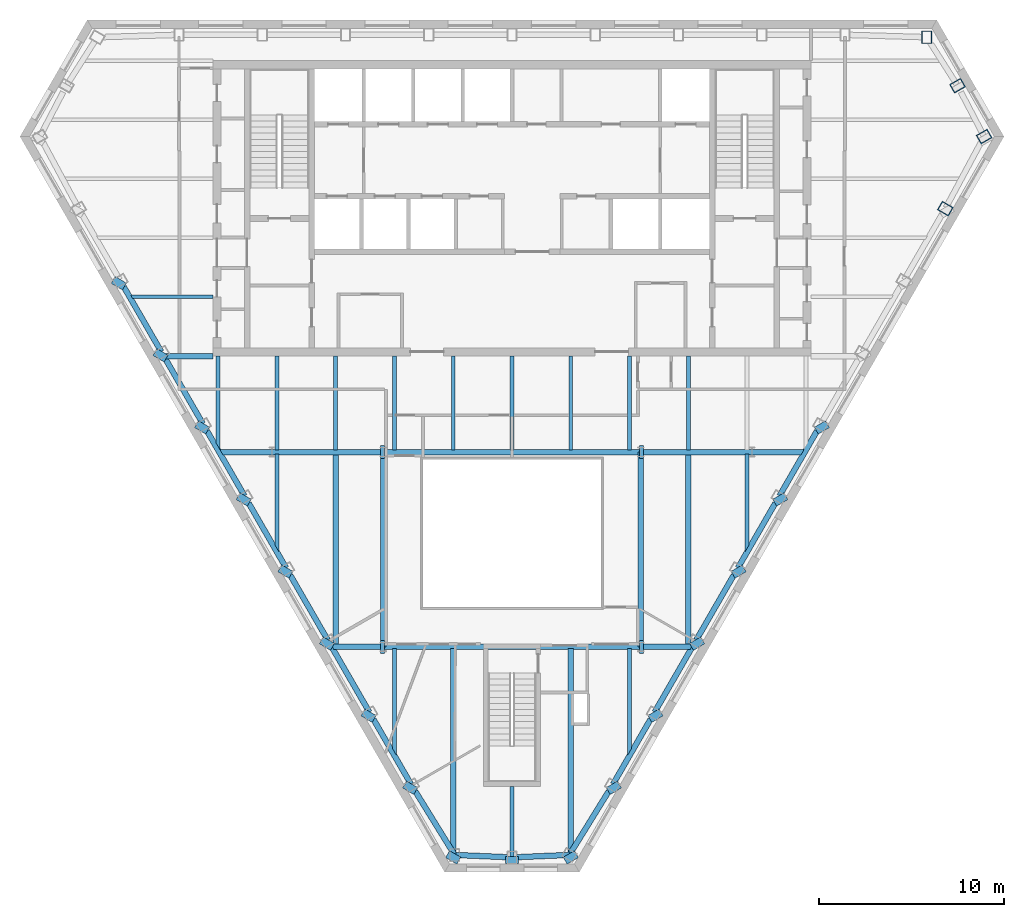
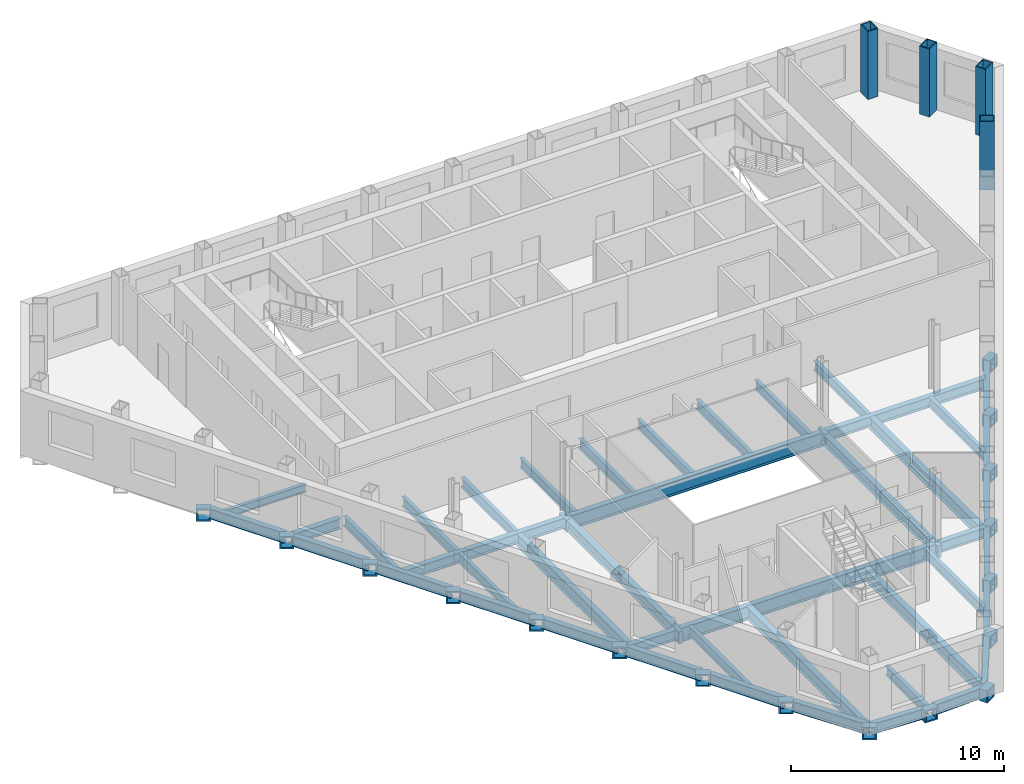
# One storey, part 2 of 11: 67 beams, 4 columns.
"""IFC4 building model written with IfcOpenShell, lengths in metres."""

from ifc_helpers import new_model, si_unit, direction, frame, origin, origin_2d, place, context, subcontext, project, spatial, hollow_rectangle, i_section, extrude, clip, halfspace, material, material_profile, profile_set, type_object, element, save


model = new_model("IFC4")

# Units and contexts
model_context = context("Model", 3, precision=1e-05, world=origin(), true_north=direction((0.0, 1.0)))
body_context = subcontext(model_context, "Body", "Model", "MODEL_VIEW")
ifc_project = project(units=[si_unit("LENGTHUNIT", "METRE"), si_unit("AREAUNIT", "SQUARE_METRE"), si_unit("VOLUMEUNIT", "CUBIC_METRE"), si_unit("PLANEANGLEUNIT", "RADIAN"), si_unit("MASSUNIT", "GRAM", prefix="KILO")], contexts=[model_context])

# Site, building, storey
site_placement = place(None, origin())
site = spatial("IfcSite", under=ifc_project, at=site_placement, CompositionType="ELEMENT")
building_placement = place(site_placement, origin())
building = spatial("IfcBuilding", under=site, at=building_placement, Name="Njiva Tower", CompositionType="ELEMENT")
storey_placement = place(building_placement, frame((0.0, 0.0, 204.3)))
storey = spatial("IfcBuildingStorey", under=building, at=storey_placement, Name="L45", CompositionType="ELEMENT", Elevation=204.3)

# Columns
ifc_material = material(Name="Steel S355 J2", Category="steel")
ifc_material_profile_1 = material_profile(ifc_material, hollow_rectangle(XDim=0.55, YDim=0.7, WallThickness=0.05, at=origin_2d()), Name="BOX 700x550x50")
ifc_profile_set_1 = profile_set([ifc_material_profile_1], Name="Steel S355 J2")
column_type = type_object("IfcColumnType", Name="C11 Perimeter tube column BOX 700x550x50", PredefinedType="COLUMN", material=ifc_profile_set_1)
for number, where, z_axis, x_axis, name in (
    (1, (22.461, 19.267, 0.0), (0.0, 0.0, 1.0), (-1.0, 0.0, 0.0), "Perimeter tube column S15-C01"),
    (2, (23.467, 9.983, 0.0), (0.0, 0.0, 1.0), (0.5, 0.866025403784, 0.0), "Perimeter tube column S15-C34"),
    (3, (25.568, 13.887, 0.0), (0.0, 0.0, 1.0), (-0.5, 0.866025403784, 0.0), "Perimeter tube column S15-C35"),
    (4, (24.13, 16.643, 0.0), (0.0, 0.0, 1.0), (-0.5, 0.866025403784, 0.0), "Perimeter tube column S15-C36"),
):
    element("IfcColumn", number, at=place(storey_placement, frame(where, z_axis=z_axis, x_axis=x_axis)), inside=storey, type_object=column_type, Name=name, PredefinedType="COLUMN", context=body_context, shape_type="SweptSolid", body=[
        extrude(hollow_rectangle(XDim=0.55, YDim=0.7, WallThickness=0.05, at=origin_2d()), origin(), (0.0, 0.0, 1.0), 3.9),
    ])

# Beams
ifc_material_profile_2 = material_profile(ifc_material, i_section(OverallWidth=0.3, OverallDepth=0.69, WebThickness=0.0145, FlangeThickness=0.027, at=origin_2d()), Name="HEA 700")
ifc_profile_set_2 = profile_set([ifc_material_profile_2], Name="Steel S355 J2")
beam_type_1 = type_object("IfcBeamType", Name="B12 Long-span floor joist HEA 700", PredefinedType="JOIST", material=ifc_profile_set_2)
beam_1_placement = place(storey_placement, frame((-9.55, -3.3, -0.545), z_axis=(0.0, -1.0, 0.0), x_axis=(1.0, 0.0, 0.0)))
element("IfcBeam", 5, at=beam_1_placement, inside=storey, type_object=beam_type_1, Name="Long-span floor joist S15-B055", PredefinedType="JOIST", context=body_context, shape_type="SweptSolid", body=[
    extrude(i_section(OverallWidth=0.3, OverallDepth=0.69, WebThickness=0.0145, FlangeThickness=0.027, at=origin_2d()), origin(), (0.0, 0.0, 1.0), 10.35),
])
beam_2_placement = place(storey_placement, frame((-3.183, -13.85, -0.545), z_axis=(0.0, -1.0, 0.0), x_axis=(1.0, 0.0, 0.0)))
element("IfcBeam", 6, at=beam_2_placement, inside=storey, type_object=beam_type_1, Name="Long-span floor joist S15-B060", PredefinedType="JOIST", context=body_context, shape_type="Clipping", body=[
    clip(extrude(i_section(OverallWidth=0.3, OverallDepth=0.69, WebThickness=0.0145, FlangeThickness=0.027, at=origin_2d()), origin(), (0.0, 0.0, 1.0), 11.043), halfspace(frame((-0.0429, 0.0, 10.7837), z_axis=(-0.850620428373, 0.0, 0.525780264783), x_axis=(0.0, 1.0, 0.0)), False)),
])
beam_3_placement = place(storey_placement, frame((3.183, -13.85, -0.545), z_axis=(0.0, -1.0, 0.0), x_axis=(1.0, 0.0, 0.0)))
element("IfcBeam", 7, at=beam_3_placement, inside=storey, type_object=beam_type_1, Name="Long-span floor joist S15-B067", PredefinedType="JOIST", context=body_context, shape_type="Clipping", body=[
    clip(extrude(i_section(OverallWidth=0.3, OverallDepth=0.69, WebThickness=0.0145, FlangeThickness=0.027, at=origin_2d()), origin(), (0.0, 0.0, 1.0), 11.043), halfspace(frame((0.0429, 0.0, 10.7837), z_axis=(0.850620428373, 0.0, 0.525780264783), x_axis=(0.0, 1.0, 0.0)), False)),
])
beam_4_placement = place(storey_placement, frame((9.55, -3.3, -0.545), z_axis=(0.0, -1.0, 0.0), x_axis=(1.0, 0.0, 0.0)))
element("IfcBeam", 8, at=beam_4_placement, inside=storey, type_object=beam_type_1, Name="Long-span floor joist S15-B071", PredefinedType="JOIST", context=body_context, shape_type="SweptSolid", body=[
    extrude(i_section(OverallWidth=0.3, OverallDepth=0.69, WebThickness=0.0145, FlangeThickness=0.027, at=origin_2d()), origin(), (0.0, 0.0, 1.0), 10.35),
])
ifc_material_profile_3 = material_profile(ifc_material, hollow_rectangle(XDim=0.7, YDim=0.7, WallThickness=0.08, at=origin_2d()), Name="BOX 700x700x80")
ifc_profile_set_3 = profile_set([ifc_material_profile_3], Name="Steel S355 J2")
beam_type_2 = type_object("IfcBeamType", Name="B19 Column jog beam BOX 700x700x80", PredefinedType="BEAM", material=ifc_profile_set_3)
beam_5_placement = place(storey_placement, frame((-21.399, 5.759, -0.55), z_axis=(0.500393920955, 0.865797853931, 0.0), x_axis=(-0.865797853931, 0.500393920955, 0.0)))
element("IfcBeam", 9, at=beam_5_placement, inside=storey, type_object=beam_type_2, Name="Column jog beam S15-B026", PredefinedType="BEAM", context=body_context, shape_type="SweptSolid", body=[
    extrude(hollow_rectangle(XDim=0.7, YDim=0.7, WallThickness=0.08, at=origin_2d()), origin(), (0.0, 0.0, 1.0), 0.4297),
])
for number, where, z_axis, x_axis, name in (
    (10, (-19.145, 1.855, -0.55), (0.499387282788, 0.866378867349, 0.0), (-0.866378867349, 0.499387282788, 0.0), "Column jog beam S15-B027"),
    (11, (-16.891, -2.049, -0.55), (0.499387282788, 0.866378867349, 0.0), (-0.866378867349, 0.499387282788, 0.0), "Column jog beam S15-B028"),
):
    element("IfcBeam", number, at=place(storey_placement, frame(where, z_axis=z_axis, x_axis=x_axis)), inside=storey, type_object=beam_type_2, Name=name, PredefinedType="BEAM", context=body_context, shape_type="SweptSolid", body=[
        extrude(hollow_rectangle(XDim=0.7, YDim=0.7, WallThickness=0.08, at=origin_2d()), origin(), (0.0, 0.0, 1.0), 0.4305),
    ])
for number, where, z_axis, x_axis, name in (
    (12, (-14.637, -5.952, -0.55), (0.500393920955, 0.865797853931, 0.0), (-0.865797853931, 0.500393920955, 0.0), "Column jog beam S15-B029"),
    (13, (-12.383, -9.856, -0.55), (0.500393920955, 0.865797853931, 0.0), (-0.865797853931, 0.500393920955, 0.0), "Column jog beam S15-B030"),
):
    element("IfcBeam", number, at=place(storey_placement, frame(where, z_axis=z_axis, x_axis=x_axis)), inside=storey, type_object=beam_type_2, Name=name, PredefinedType="BEAM", context=body_context, shape_type="SweptSolid", body=[
        extrude(hollow_rectangle(XDim=0.7, YDim=0.7, WallThickness=0.08, at=origin_2d()), origin(), (0.0, 0.0, 1.0), 0.4297),
    ])
for number, where, z_axis, x_axis, name in (
    (14, (-10.13, -13.76, -0.55), (0.499387282788, 0.866378867349, 0.0), (-0.866378867349, 0.499387282788, 0.0), "Column jog beam S15-B031"),
    (15, (-7.876, -17.664, -0.55), (0.499387282788, 0.866378867349, 0.0), (-0.866378867349, 0.499387282788, 0.0), "Column jog beam S15-B032"),
):
    element("IfcBeam", number, at=place(storey_placement, frame(where, z_axis=z_axis, x_axis=x_axis)), inside=storey, type_object=beam_type_2, Name=name, PredefinedType="BEAM", context=body_context, shape_type="SweptSolid", body=[
        extrude(hollow_rectangle(XDim=0.7, YDim=0.7, WallThickness=0.08, at=origin_2d()), origin(), (0.0, 0.0, 1.0), 0.4305),
    ])
beam_6_placement = place(storey_placement, frame((-5.622, -21.567, -0.55), z_axis=(0.500393920955, 0.865797853931, 0.0), x_axis=(-0.865797853931, 0.500393920955, 0.0)))
element("IfcBeam", 16, at=beam_6_placement, inside=storey, type_object=beam_type_2, Name="Column jog beam S15-B035", PredefinedType="BEAM", context=body_context, shape_type="SweptSolid", body=[
    extrude(hollow_rectangle(XDim=0.7, YDim=0.7, WallThickness=0.08, at=origin_2d()), origin(), (0.0, 0.0, 1.0), 0.4297),
])
beam_7_placement = place(storey_placement, frame((-3.291, -25.338, -0.55), z_axis=(0.499387282788, 0.866378867349, 0.0), x_axis=(-0.866378867349, 0.499387282788, 0.0)))
element("IfcBeam", 17, at=beam_7_placement, inside=storey, type_object=beam_type_2, Name="Column jog beam S15-B036", PredefinedType="BEAM", context=body_context, shape_type="SweptSolid", body=[
    extrude(hollow_rectangle(XDim=0.7, YDim=0.7, WallThickness=0.08, at=origin_2d()), origin(), (0.0, 0.0, 1.0), 0.4305),
])
beam_8_placement = place(storey_placement, frame((0.0, -25.479, -0.55), z_axis=(0.0, 1.0, 0.0), x_axis=(-1.0, 0.0, 0.0)))
element("IfcBeam", 18, at=beam_8_placement, inside=storey, type_object=beam_type_2, Name="Column jog beam S15-B037", PredefinedType="BEAM", context=body_context, shape_type="SweptSolid", body=[
    extrude(hollow_rectangle(XDim=0.7, YDim=0.7, WallThickness=0.08, at=origin_2d()), origin(), (0.0, 0.0, 1.0), 0.389),
])
beam_9_placement = place(storey_placement, frame((3.291, -25.338, -0.55), z_axis=(-0.499387282788, 0.866378867349, 0.0), x_axis=(-0.866378867349, -0.499387282788, 0.0)))
element("IfcBeam", 19, at=beam_9_placement, inside=storey, type_object=beam_type_2, Name="Column jog beam S15-B038", PredefinedType="BEAM", context=body_context, shape_type="SweptSolid", body=[
    extrude(hollow_rectangle(XDim=0.7, YDim=0.7, WallThickness=0.08, at=origin_2d()), origin(), (0.0, 0.0, 1.0), 0.4305),
])
beam_10_placement = place(storey_placement, frame((5.622, -21.567, -0.55), z_axis=(-0.500393920955, 0.865797853931, 0.0), x_axis=(-0.865797853931, -0.500393920955, 0.0)))
element("IfcBeam", 20, at=beam_10_placement, inside=storey, type_object=beam_type_2, Name="Column jog beam S15-B039", PredefinedType="BEAM", context=body_context, shape_type="SweptSolid", body=[
    extrude(hollow_rectangle(XDim=0.7, YDim=0.7, WallThickness=0.08, at=origin_2d()), origin(), (0.0, 0.0, 1.0), 0.4297),
])
for number, where, z_axis, x_axis, name in (
    (21, (7.876, -17.664, -0.55), (-0.499387282788, 0.866378867349, 0.0), (-0.866378867349, -0.499387282788, 0.0), "Column jog beam S15-B042"),
    (22, (10.13, -13.76, -0.55), (-0.499387282788, 0.866378867349, 0.0), (-0.866378867349, -0.499387282788, 0.0), "Column jog beam S15-B043"),
):
    element("IfcBeam", number, at=place(storey_placement, frame(where, z_axis=z_axis, x_axis=x_axis)), inside=storey, type_object=beam_type_2, Name=name, PredefinedType="BEAM", context=body_context, shape_type="SweptSolid", body=[
        extrude(hollow_rectangle(XDim=0.7, YDim=0.7, WallThickness=0.08, at=origin_2d()), origin(), (0.0, 0.0, 1.0), 0.4305),
    ])
for number, where, z_axis, x_axis, name in (
    (23, (12.383, -9.856, -0.55), (-0.500393920955, 0.865797853931, 0.0), (-0.865797853931, -0.500393920955, 0.0), "Column jog beam S15-B044"),
    (24, (14.637, -5.952, -0.55), (-0.500393920955, 0.865797853931, 0.0), (-0.865797853931, -0.500393920955, 0.0), "Column jog beam S15-B045"),
):
    element("IfcBeam", number, at=place(storey_placement, frame(where, z_axis=z_axis, x_axis=x_axis)), inside=storey, type_object=beam_type_2, Name=name, PredefinedType="BEAM", context=body_context, shape_type="SweptSolid", body=[
        extrude(hollow_rectangle(XDim=0.7, YDim=0.7, WallThickness=0.08, at=origin_2d()), origin(), (0.0, 0.0, 1.0), 0.4297),
    ])
beam_11_placement = place(storey_placement, frame((16.891, -2.049, -0.55), z_axis=(-0.499387282788, 0.866378867349, 0.0), x_axis=(-0.866378867349, -0.499387282788, 0.0)))
element("IfcBeam", 25, at=beam_11_placement, inside=storey, type_object=beam_type_2, Name="Column jog beam S15-B046", PredefinedType="BEAM", context=body_context, shape_type="SweptSolid", body=[
    extrude(hollow_rectangle(XDim=0.7, YDim=0.7, WallThickness=0.08, at=origin_2d()), origin(), (0.0, 0.0, 1.0), 0.4305),
])
for number, where, z_axis, x_axis, name in (
    (26, (7.11, -3.2, -0.55), (-1.0, 0.0, 0.0), (0.0, -1.0, 0.0), "Column jog beam S15-B041"),
    (27, (-7.11, -3.2, -0.55), (1.0, 0.0, 0.0), (0.0, 1.0, 0.0), "Column jog beam S15-B034"),
    (28, (7.11, -13.75, -0.55), (-1.0, 0.0, 0.0), (0.0, -1.0, 0.0), "Column jog beam S15-B040"),
    (29, (-7.11, -13.75, -0.55), (1.0, 0.0, 0.0), (0.0, 1.0, 0.0), "Column jog beam S15-B033"),
):
    element("IfcBeam", number, at=place(storey_placement, frame(where, z_axis=z_axis, x_axis=x_axis)), inside=storey, type_object=beam_type_2, Name=name, PredefinedType="BEAM", context=body_context, shape_type="SweptSolid", body=[
        extrude(hollow_rectangle(XDim=0.7, YDim=0.7, WallThickness=0.08, at=origin_2d()), origin(), (0.0, 0.0, 1.0), 0.2),
    ])
ifc_material_profile_4 = material_profile(ifc_material, i_section(OverallWidth=0.3, OverallDepth=0.59, WebThickness=0.013, FlangeThickness=0.025, at=origin_2d()), Name="HEA 600")
ifc_profile_set_4 = profile_set([ifc_material_profile_4], Name="Steel S355 J2")
beam_type_3 = type_object("IfcBeamType", Name="B27 Short-span spandrel beam HEA 600", PredefinedType="SPANDREL", material=ifc_profile_set_4)
beam_12_placement = place(storey_placement, frame((-21.024, 5.751, -0.495), z_axis=(0.499928631667, -0.86606660439, 0.0), x_axis=(0.86606660439, 0.499928631667, 0.0)))
element("IfcBeam", 30, at=beam_12_placement, inside=storey, type_object=beam_type_3, Name="Short-span spandrel beam S15-B093", PredefinedType="SPANDREL", context=body_context, shape_type="SweptSolid", body=[
    extrude(i_section(OverallWidth=0.3, OverallDepth=0.59, WebThickness=0.013, FlangeThickness=0.025, at=origin_2d()), origin(), (0.0, 0.0, 1.0), 4.0586),
])
for number, where, z_axis, x_axis, name in (
    (31, (-18.77, 1.846, -0.495), (0.500035331196, -0.866005004348, 0.0), (0.866005004348, 0.500035331196, 0.0), "Short-span spandrel beam S15-B095"),
    (32, (-16.516, -2.057, -0.495), (0.500035331196, -0.866005004348, 0.0), (0.866005004348, 0.500035331196, 0.0), "Short-span spandrel beam S15-B098"),
    (33, (-14.262, -5.961, -0.495), (0.500035331196, -0.866005004348, 0.0), (0.866005004348, 0.500035331196, 0.0), "Short-span spandrel beam S15-B100"),
):
    element("IfcBeam", number, at=place(storey_placement, frame(where, z_axis=z_axis, x_axis=x_axis)), inside=storey, type_object=beam_type_3, Name=name, PredefinedType="SPANDREL", context=body_context, shape_type="SweptSolid", body=[
        extrude(i_section(OverallWidth=0.3, OverallDepth=0.59, WebThickness=0.013, FlangeThickness=0.025, at=origin_2d()), origin(), (0.0, 0.0, 1.0), 4.0577),
    ])
beam_13_placement = place(storey_placement, frame((-12.008, -9.865, -0.495), z_axis=(0.49985047257, -0.866111716277, 0.0), x_axis=(0.866111716277, 0.49985047257, 0.0)))
element("IfcBeam", 34, at=beam_13_placement, inside=storey, type_object=beam_type_3, Name="Short-span spandrel beam S15-B103", PredefinedType="SPANDREL", context=body_context, shape_type="SweptSolid", body=[
    extrude(i_section(OverallWidth=0.3, OverallDepth=0.59, WebThickness=0.013, FlangeThickness=0.025, at=origin_2d()), origin(), (0.0, 0.0, 1.0), 4.0572),
])
beam_14_placement = place(storey_placement, frame((-9.755, -13.768, -0.495), z_axis=(0.499928631667, -0.86606660439, 0.0), x_axis=(0.86606660439, 0.499928631667, 0.0)))
element("IfcBeam", 35, at=beam_14_placement, inside=storey, type_object=beam_type_3, Name="Short-span spandrel beam S15-B105", PredefinedType="SPANDREL", context=body_context, shape_type="SweptSolid", body=[
    extrude(i_section(OverallWidth=0.3, OverallDepth=0.59, WebThickness=0.013, FlangeThickness=0.025, at=origin_2d()), origin(), (0.0, 0.0, 1.0), 4.0586),
])
beam_15_placement = place(storey_placement, frame((-7.501, -17.672, -0.495), z_axis=(0.500035331196, -0.866005004348, 0.0), x_axis=(0.866005004348, 0.500035331196, 0.0)))
element("IfcBeam", 36, at=beam_15_placement, inside=storey, type_object=beam_type_3, Name="Short-span spandrel beam S15-B108", PredefinedType="SPANDREL", context=body_context, shape_type="SweptSolid", body=[
    extrude(i_section(OverallWidth=0.3, OverallDepth=0.59, WebThickness=0.013, FlangeThickness=0.025, at=origin_2d()), origin(), (0.0, 0.0, 1.0), 4.0577),
])
beam_16_placement = place(storey_placement, frame((-5.236, -21.571, -0.495), z_axis=(0.52562546348, -0.850716093736, 0.0), x_axis=(0.850716093736, 0.52562546348, 0.0)))
element("IfcBeam", 37, at=beam_16_placement, inside=storey, type_object=beam_type_3, Name="Short-span spandrel beam S15-B110", PredefinedType="SPANDREL", context=body_context, shape_type="Clipping", body=[
    clip(extrude(i_section(OverallWidth=0.3, OverallDepth=0.59, WebThickness=0.013, FlangeThickness=0.025, at=origin_2d()), origin(), (0.0, 0.0, 1.0), 4.1273), halfspace(frame((-0.026, 0.0, 3.9982), z_axis=(-0.52562546348, 0.0, 0.850716093736), x_axis=(0.0, 1.0, 0.0)), False)),
])
beam_17_placement = place(storey_placement, frame((-3.03, -25.021, -0.495), z_axis=(0.999084855194, -0.042772095121, 0.0), x_axis=(0.042772095121, 0.999084855194, 0.0)))
element("IfcBeam", 38, at=beam_17_placement, inside=storey, type_object=beam_type_3, Name="Short-span spandrel beam S15-B112", PredefinedType="SPANDREL", context=body_context, shape_type="SweptSolid", body=[
    extrude(i_section(OverallWidth=0.3, OverallDepth=0.59, WebThickness=0.013, FlangeThickness=0.025, at=origin_2d()), origin(), (0.0, 0.0, 1.0), 2.8056),
])
beam_18_placement = place(storey_placement, frame((0.227, -25.141, -0.495), z_axis=(0.999079885667, 0.042888017611, 0.0), x_axis=(-0.042888017611, 0.999079885667, 0.0)))
element("IfcBeam", 39, at=beam_18_placement, inside=storey, type_object=beam_type_3, Name="Short-span spandrel beam S15-B116", PredefinedType="SPANDREL", context=body_context, shape_type="Clipping", body=[
    clip(extrude(i_section(OverallWidth=0.3, OverallDepth=0.59, WebThickness=0.013, FlangeThickness=0.025, at=origin_2d()), origin(), (0.0, 0.0, 1.0), 2.9596), halfspace(frame((-0.0268, 0.0, 2.8273), z_axis=(-0.536680116502, 0.0, 0.843785785938), x_axis=(0.0, 1.0, 0.0)), False)),
])
beam_19_placement = place(storey_placement, frame((3.145, -24.955, -0.495), z_axis=(0.52565343261, 0.850698812028, 0.0), x_axis=(-0.850698812028, 0.52565343261, 0.0)))
element("IfcBeam", 40, at=beam_19_placement, inside=storey, type_object=beam_type_3, Name="Short-span spandrel beam S15-B117", PredefinedType="SPANDREL", context=body_context, shape_type="SweptSolid", body=[
    extrude(i_section(OverallWidth=0.3, OverallDepth=0.59, WebThickness=0.013, FlangeThickness=0.025, at=origin_2d()), origin(), (0.0, 0.0, 1.0), 3.9779),
])
beam_20_placement = place(storey_placement, frame((5.472, -21.186, -0.495), z_axis=(0.500035331196, 0.866005004348, 0.0), x_axis=(-0.866005004348, 0.500035331196, 0.0)))
element("IfcBeam", 41, at=beam_20_placement, inside=storey, type_object=beam_type_3, Name="Short-span spandrel beam S15-B120", PredefinedType="SPANDREL", context=body_context, shape_type="SweptSolid", body=[
    extrude(i_section(OverallWidth=0.3, OverallDepth=0.59, WebThickness=0.013, FlangeThickness=0.025, at=origin_2d()), origin(), (0.0, 0.0, 1.0), 4.0577),
])
beam_21_placement = place(storey_placement, frame((7.726, -17.283, -0.495), z_axis=(0.499928631667, 0.86606660439, 0.0), x_axis=(-0.86606660439, 0.499928631667, 0.0)))
element("IfcBeam", 42, at=beam_21_placement, inside=storey, type_object=beam_type_3, Name="Short-span spandrel beam S15-B122", PredefinedType="SPANDREL", context=body_context, shape_type="SweptSolid", body=[
    extrude(i_section(OverallWidth=0.3, OverallDepth=0.59, WebThickness=0.013, FlangeThickness=0.025, at=origin_2d()), origin(), (0.0, 0.0, 1.0), 4.0586),
])
beam_22_placement = place(storey_placement, frame((9.98, -13.379, -0.495), z_axis=(0.49985047257, 0.866111716277, 0.0), x_axis=(-0.866111716277, 0.49985047257, 0.0)))
element("IfcBeam", 43, at=beam_22_placement, inside=storey, type_object=beam_type_3, Name="Short-span spandrel beam S15-B125", PredefinedType="SPANDREL", context=body_context, shape_type="SweptSolid", body=[
    extrude(i_section(OverallWidth=0.3, OverallDepth=0.59, WebThickness=0.013, FlangeThickness=0.025, at=origin_2d()), origin(), (0.0, 0.0, 1.0), 4.0572),
])
for number, where, z_axis, x_axis, name in (
    (44, (12.233, -9.475, -0.495), (0.500035331196, 0.866005004348, 0.0), (-0.866005004348, 0.500035331196, 0.0), "Short-span spandrel beam S15-B127"),
    (45, (14.487, -5.571, -0.495), (0.500035331196, 0.866005004348, 0.0), (-0.866005004348, 0.500035331196, 0.0), "Short-span spandrel beam S15-B130"),
):
    element("IfcBeam", number, at=place(storey_placement, frame(where, z_axis=z_axis, x_axis=x_axis)), inside=storey, type_object=beam_type_3, Name=name, PredefinedType="SPANDREL", context=body_context, shape_type="SweptSolid", body=[
        extrude(i_section(OverallWidth=0.3, OverallDepth=0.59, WebThickness=0.013, FlangeThickness=0.025, at=origin_2d()), origin(), (0.0, 0.0, 1.0), 4.0577),
    ])
ifc_material_profile_5 = material_profile(ifc_material, i_section(OverallWidth=0.3, OverallDepth=0.59, WebThickness=0.013, FlangeThickness=0.025, at=origin_2d()), Name="HEA 600")
ifc_profile_set_5 = profile_set([ifc_material_profile_5], Name="Steel S355 J2")
beam_type_4 = type_object("IfcBeamType", Name="B28 Floor girder HEA 600", PredefinedType="BEAM", material=ifc_profile_set_5)
for number, where, z_axis, x_axis, name in (
    (46, (-13.0, -3.2, -0.495), (1.0, 0.0, 0.0), (0.0, 1.0, 0.0), "Floor girder S15-B014"),
    (47, (6.97, -3.2, -0.495), (1.0, 0.0, 0.0), (0.0, 1.0, 0.0), "Floor girder S15-B019"),
):
    element("IfcBeam", number, at=place(storey_placement, frame(where, z_axis=z_axis, x_axis=x_axis)), inside=storey, type_object=beam_type_4, Name=name, PredefinedType="BEAM", context=body_context, shape_type="SweptSolid", body=[
        extrude(i_section(OverallWidth=0.3, OverallDepth=0.59, WebThickness=0.013, FlangeThickness=0.025, at=origin_2d()), origin(), (0.0, 0.0, 1.0), 6.03),
    ])
ifc_material_profile_6 = material_profile(ifc_material, i_section(OverallWidth=0.3, OverallDepth=0.59, WebThickness=0.013, FlangeThickness=0.025, at=origin_2d()), Name="HEA 600")
ifc_profile_set_6 = profile_set([ifc_material_profile_6], Name="Steel S355 J2")
beam_type_5 = type_object("IfcBeamType", Name="B29 Short-span floor girder HEA 600", PredefinedType="BEAM", material=ifc_profile_set_6)
beam_23_placement = place(storey_placement, frame((-15.848, -3.2, -0.495), z_axis=(1.0, 0.0, 0.0), x_axis=(0.0, 1.0, 0.0)))
element("IfcBeam", 48, at=beam_23_placement, inside=storey, type_object=beam_type_5, Name="Short-span floor girder S15-B013", PredefinedType="BEAM", context=body_context, shape_type="Clipping", body=[
    clip(extrude(i_section(OverallWidth=0.3, OverallDepth=0.59, WebThickness=0.013, FlangeThickness=0.025, at=origin_2d()), origin(), (0.0, 0.0, 1.0), 2.848), halfspace(frame((-0.025, 0.0, 0.1217), z_axis=(-0.499998009787, 0.0, -0.866026552831), x_axis=(0.0, -1.0, 0.0)), False)),
])
beam_24_placement = place(storey_placement, frame((13.0, -3.2, -0.495), z_axis=(1.0, 0.0, 0.0), x_axis=(0.0, 1.0, 0.0)))
element("IfcBeam", 49, at=beam_24_placement, inside=storey, type_object=beam_type_5, Name="Short-span floor girder S15-B020", PredefinedType="BEAM", context=body_context, shape_type="Clipping", body=[
    clip(extrude(i_section(OverallWidth=0.3, OverallDepth=0.59, WebThickness=0.013, FlangeThickness=0.025, at=origin_2d()), origin(), (0.0, 0.0, 1.0), 2.848), halfspace(frame((-0.025, 0.0, 2.7263), z_axis=(-0.499998009787, 0.0, 0.866026552831), x_axis=(0.0, 1.0, 0.0)), False)),
])
beam_25_placement = place(storey_placement, frame((-9.836, -13.75, -0.495), z_axis=(1.0, 0.0, 0.0), x_axis=(0.0, 1.0, 0.0)))
element("IfcBeam", 50, at=beam_25_placement, inside=storey, type_object=beam_type_5, Name="Short-span floor girder S15-B015", PredefinedType="BEAM", context=body_context, shape_type="Clipping", body=[
    clip(extrude(i_section(OverallWidth=0.3, OverallDepth=0.59, WebThickness=0.013, FlangeThickness=0.025, at=origin_2d()), origin(), (0.0, 0.0, 1.0), 2.866), halfspace(frame((-0.025, 0.0, 0.1211), z_axis=(-0.499998009787, 0.0, -0.866026552831), x_axis=(0.0, -1.0, 0.0)), False)),
])
beam_26_placement = place(storey_placement, frame((6.97, -13.75, -0.495), z_axis=(1.0, 0.0, 0.0), x_axis=(0.0, 1.0, 0.0)))
element("IfcBeam", 51, at=beam_26_placement, inside=storey, type_object=beam_type_5, Name="Short-span floor girder S15-B018", PredefinedType="BEAM", context=body_context, shape_type="Clipping", body=[
    clip(extrude(i_section(OverallWidth=0.3, OverallDepth=0.59, WebThickness=0.013, FlangeThickness=0.025, at=origin_2d()), origin(), (0.0, 0.0, 1.0), 2.866), halfspace(frame((-0.025, 0.0, 2.7449), z_axis=(-0.499998009787, 0.0, 0.866026552831), x_axis=(0.0, 1.0, 0.0)), False)),
])
beam_27_placement = place(storey_placement, frame((-18.929, 2.0, -0.495), z_axis=(1.0, 0.0, 0.0), x_axis=(0.0, 1.0, 0.0)))
element("IfcBeam", 52, at=beam_27_placement, inside=storey, type_object=beam_type_5, Name="Short-span floor girder S15-B011", PredefinedType="BEAM", context=body_context, shape_type="Clipping", body=[
    clip(extrude(i_section(OverallWidth=0.3, OverallDepth=0.59, WebThickness=0.013, FlangeThickness=0.025, at=origin_2d()), origin(), (0.0, 0.0, 1.0), 2.729), halfspace(frame((-0.025, 0.0, 0.1212), z_axis=(-0.499998009787, 0.0, -0.866026552831), x_axis=(0.0, -1.0, 0.0)), False)),
])
ifc_material_profile_7 = material_profile(ifc_material, i_section(OverallWidth=0.3, OverallDepth=0.59, WebThickness=0.013, FlangeThickness=0.025, at=origin_2d()), Name="HEA 600")
ifc_profile_set_7 = profile_set([ifc_material_profile_7], Name="Steel S355 J2")
beam_type_6 = type_object("IfcBeamType", Name="B30 Long-span atrium trimmer beam HEA 600", PredefinedType="BEAM", material=ifc_profile_set_7)
for number, where, z_axis, x_axis, name in (
    (53, (6.97, -13.75, -0.495), (0.0, 1.0, 0.0), (-1.0, 0.0, 0.0), "Long-span atrium trimmer beam S15-B081"),
    (54, (-6.97, -3.2, -0.495), (0.0, -1.0, 0.0), (1.0, 0.0, 0.0), "Long-span atrium trimmer beam S15-B077"),
):
    element("IfcBeam", number, at=place(storey_placement, frame(where, z_axis=z_axis, x_axis=x_axis)), inside=storey, type_object=beam_type_6, Name=name, PredefinedType="BEAM", context=body_context, shape_type="SweptSolid", body=[
        extrude(i_section(OverallWidth=0.3, OverallDepth=0.59, WebThickness=0.013, FlangeThickness=0.025, at=origin_2d()), origin(), (0.0, 0.0, 1.0), 10.55),
    ])
ifc_material_profile_8 = material_profile(ifc_material, i_section(OverallWidth=0.21, OverallDepth=0.55, WebThickness=0.0111, FlangeThickness=0.0172, at=origin_2d()), Name="IPE 550")
ifc_profile_set_8 = profile_set([ifc_material_profile_8], Name="Steel S355 J2")
beam_type_7 = type_object("IfcBeamType", Name="B31 Short-span floor joist IPE 550", PredefinedType="JOIST", material=ifc_profile_set_8)
beam_28_placement = place(storey_placement, frame((0.0, -21.3, -0.475), z_axis=(0.0, -1.0, 0.0), x_axis=(1.0, 0.0, 0.0)))
element("IfcBeam", 55, at=beam_28_placement, inside=storey, type_object=beam_type_7, Name="Short-span floor joist S15-B063", PredefinedType="JOIST", context=body_context, shape_type="SweptSolid", body=[
    extrude(i_section(OverallWidth=0.21, OverallDepth=0.55, WebThickness=0.0111, FlangeThickness=0.0172, at=origin_2d()), origin(), (0.0, 0.0, 1.0), 3.819),
])
ifc_material_profile_9 = material_profile(ifc_material, i_section(OverallWidth=0.21, OverallDepth=0.55, WebThickness=0.0111, FlangeThickness=0.0172, at=origin_2d()), Name="IPE 550")
ifc_profile_set_9 = profile_set([ifc_material_profile_9], Name="Steel S355 J2")
beam_type_8 = type_object("IfcBeamType", Name="B32 Floor joist IPE 550", PredefinedType="JOIST", material=ifc_profile_set_9)
beam_29_placement = place(storey_placement, frame((-15.917, 1.995, -0.475), z_axis=(0.0, -1.0, 0.0), x_axis=(1.0, 0.0, 0.0)))
element("IfcBeam", 56, at=beam_29_placement, inside=storey, type_object=beam_type_8, Name="Floor joist S15-B052", PredefinedType="JOIST", context=body_context, shape_type="Clipping", body=[
    clip(extrude(i_section(OverallWidth=0.21, OverallDepth=0.55, WebThickness=0.0111, FlangeThickness=0.0172, at=origin_2d()), origin(), (0.0, 0.0, 1.0), 5.092), halfspace(frame((-0.043, 0.0, 4.8153), z_axis=(-0.866026552831, 0.0, 0.499998009787), x_axis=(0.0, 1.0, 0.0)), False)),
])
beam_30_placement = place(storey_placement, frame((-12.733, 1.995, -0.475), z_axis=(0.0, -1.0, 0.0), x_axis=(1.0, 0.0, 0.0)))
element("IfcBeam", 57, at=beam_30_placement, inside=storey, type_object=beam_type_8, Name="Floor joist S15-B054", PredefinedType="JOIST", context=body_context, shape_type="SweptSolid", body=[
    extrude(i_section(OverallWidth=0.21, OverallDepth=0.55, WebThickness=0.0111, FlangeThickness=0.0172, at=origin_2d()), origin(), (0.0, 0.0, 1.0), 5.095),
])
beam_31_placement = place(storey_placement, frame((-12.733, -3.3, -0.475), z_axis=(0.0, -1.0, 0.0), x_axis=(1.0, 0.0, 0.0)))
element("IfcBeam", 58, at=beam_31_placement, inside=storey, type_object=beam_type_8, Name="Floor joist S15-B053", PredefinedType="JOIST", context=body_context, shape_type="Clipping", body=[
    clip(extrude(i_section(OverallWidth=0.21, OverallDepth=0.55, WebThickness=0.0111, FlangeThickness=0.0172, at=origin_2d()), origin(), (0.0, 0.0, 1.0), 5.311), halfspace(frame((-0.0436, 0.0, 5.034), z_axis=(-0.866026552831, 0.0, 0.499998009787), x_axis=(0.0, 1.0, 0.0)), False)),
])
for number, where, z_axis, x_axis, name in (
    (59, (-9.55, 1.995, -0.475), (0.0, -1.0, 0.0), (1.0, 0.0, 0.0), "Floor joist S15-B057"),
    (60, (-6.367, 1.995, -0.475), (0.0, -1.0, 0.0), (1.0, 0.0, 0.0), "Floor joist S15-B059"),
):
    element("IfcBeam", number, at=place(storey_placement, frame(where, z_axis=z_axis, x_axis=x_axis)), inside=storey, type_object=beam_type_8, Name=name, PredefinedType="JOIST", context=body_context, shape_type="SweptSolid", body=[
        extrude(i_section(OverallWidth=0.21, OverallDepth=0.55, WebThickness=0.0111, FlangeThickness=0.0172, at=origin_2d()), origin(), (0.0, 0.0, 1.0), 5.095),
    ])
beam_32_placement = place(storey_placement, frame((-6.367, -13.85, -0.475), z_axis=(0.0, -1.0, 0.0), x_axis=(1.0, 0.0, 0.0)))
element("IfcBeam", 61, at=beam_32_placement, inside=storey, type_object=beam_type_8, Name="Floor joist S15-B058", PredefinedType="JOIST", context=body_context, shape_type="Clipping", body=[
    clip(extrude(i_section(OverallWidth=0.21, OverallDepth=0.55, WebThickness=0.0111, FlangeThickness=0.0172, at=origin_2d()), origin(), (0.0, 0.0, 1.0), 5.788), halfspace(frame((-0.043, 0.0, 5.5114), z_axis=(-0.866026552831, 0.0, 0.499998009787), x_axis=(0.0, 1.0, 0.0)), False)),
])
for number, where, z_axis, x_axis, name in (
    (62, (-3.183, 1.995, -0.475), (0.0, -1.0, 0.0), (1.0, 0.0, 0.0), "Floor joist S15-B062"),
    (63, (0.0, 1.995, -0.475), (0.0, -1.0, 0.0), (1.0, 0.0, 0.0), "Floor joist S15-B065"),
    (64, (3.183, 1.995, -0.475), (0.0, -1.0, 0.0), (1.0, 0.0, 0.0), "Floor joist S15-B068"),
    (65, (6.367, 1.995, -0.475), (0.0, -1.0, 0.0), (1.0, 0.0, 0.0), "Floor joist S15-B070"),
):
    element("IfcBeam", number, at=place(storey_placement, frame(where, z_axis=z_axis, x_axis=x_axis)), inside=storey, type_object=beam_type_8, Name=name, PredefinedType="JOIST", context=body_context, shape_type="SweptSolid", body=[
        extrude(i_section(OverallWidth=0.21, OverallDepth=0.55, WebThickness=0.0111, FlangeThickness=0.0172, at=origin_2d()), origin(), (0.0, 0.0, 1.0), 5.095),
    ])
beam_33_placement = place(storey_placement, frame((6.367, -13.85, -0.475), z_axis=(0.0, -1.0, 0.0), x_axis=(1.0, 0.0, 0.0)))
element("IfcBeam", 66, at=beam_33_placement, inside=storey, type_object=beam_type_8, Name="Floor joist S15-B069", PredefinedType="JOIST", context=body_context, shape_type="Clipping", body=[
    clip(extrude(i_section(OverallWidth=0.21, OverallDepth=0.55, WebThickness=0.0111, FlangeThickness=0.0172, at=origin_2d()), origin(), (0.0, 0.0, 1.0), 5.788), halfspace(frame((0.043, 0.0, 5.5114), z_axis=(0.866026552831, 0.0, 0.499998009787), x_axis=(0.0, 1.0, 0.0)), False)),
])
beam_34_placement = place(storey_placement, frame((9.55, 1.995, -0.475), z_axis=(0.0, -1.0, 0.0), x_axis=(1.0, 0.0, 0.0)))
element("IfcBeam", 67, at=beam_34_placement, inside=storey, type_object=beam_type_8, Name="Floor joist S15-B073", PredefinedType="JOIST", context=body_context, shape_type="SweptSolid", body=[
    extrude(i_section(OverallWidth=0.21, OverallDepth=0.55, WebThickness=0.0111, FlangeThickness=0.0172, at=origin_2d()), origin(), (0.0, 0.0, 1.0), 5.095),
])
beam_35_placement = place(storey_placement, frame((12.733, -3.3, -0.475), z_axis=(0.0, -1.0, 0.0), x_axis=(1.0, 0.0, 0.0)))
element("IfcBeam", 68, at=beam_35_placement, inside=storey, type_object=beam_type_8, Name="Floor joist S15-B074", PredefinedType="JOIST", context=body_context, shape_type="Clipping", body=[
    clip(extrude(i_section(OverallWidth=0.21, OverallDepth=0.55, WebThickness=0.0111, FlangeThickness=0.0172, at=origin_2d()), origin(), (0.0, 0.0, 1.0), 5.311), halfspace(frame((0.0436, 0.0, 5.034), z_axis=(0.866026552831, 0.0, 0.499998009787), x_axis=(0.0, 1.0, 0.0)), False)),
])
ifc_material_profile_10 = material_profile(ifc_material, i_section(OverallWidth=0.19, OverallDepth=0.45, WebThickness=0.0094, FlangeThickness=0.0146, at=origin_2d()), Name="IPE 450")
ifc_profile_set_10 = profile_set([ifc_material_profile_10], Name="Steel S355 J2")
beam_type_9 = type_object("IfcBeamType", Name="B38 Short-span floor beam to the core IPE 450", PredefinedType="BEAM", material=ifc_profile_set_10)
beam_36_placement = place(storey_placement, frame((-20.666, 5.2, -0.425), z_axis=(1.0, 0.0, 0.0), x_axis=(0.0, 1.0, 0.0)))
element("IfcBeam", 69, at=beam_36_placement, inside=storey, type_object=beam_type_9, Name="Short-span floor beam to the core S15-B005", PredefinedType="BEAM", context=body_context, shape_type="Clipping", body=[
    clip(extrude(i_section(OverallWidth=0.19, OverallDepth=0.45, WebThickness=0.0094, FlangeThickness=0.0146, at=origin_2d()), origin(), (0.0, 0.0, 1.0), 4.466), halfspace(frame((-0.025, 0.0, 0.0899), z_axis=(-0.499998009787, 0.0, -0.866026552831), x_axis=(0.0, -1.0, 0.0)), False)),
])
ifc_material_profile_11 = material_profile(ifc_material, i_section(OverallWidth=0.3, OverallDepth=0.79, WebThickness=0.015, FlangeThickness=0.028, at=origin_2d()), Name="HEA 800")
ifc_profile_set_11 = profile_set([ifc_material_profile_11], Name="Steel S355 J2")
beam_type_10 = type_object("IfcBeamType", Name="B9 Long-span atrium trimmer beam HEA 800", PredefinedType="BEAM", material=ifc_profile_set_11)
for number, where, z_axis, x_axis, name in (
    (70, (-6.97, -13.75, -0.595), (1.0, 0.0, 0.0), (0.0, 1.0, 0.0), "Long-span atrium trimmer beam S15-B078"),
    (71, (6.97, -3.2, -0.595), (-1.0, 0.0, 0.0), (0.0, -1.0, 0.0), "Long-span atrium trimmer beam S15-B080"),
):
    element("IfcBeam", number, at=place(storey_placement, frame(where, z_axis=z_axis, x_axis=x_axis)), inside=storey, type_object=beam_type_10, Name=name, PredefinedType="BEAM", context=body_context, shape_type="SweptSolid", body=[
        extrude(i_section(OverallWidth=0.3, OverallDepth=0.79, WebThickness=0.015, FlangeThickness=0.028, at=origin_2d()), origin(), (0.0, 0.0, 1.0), 13.94),
    ])

save(model, "model.ifc")
